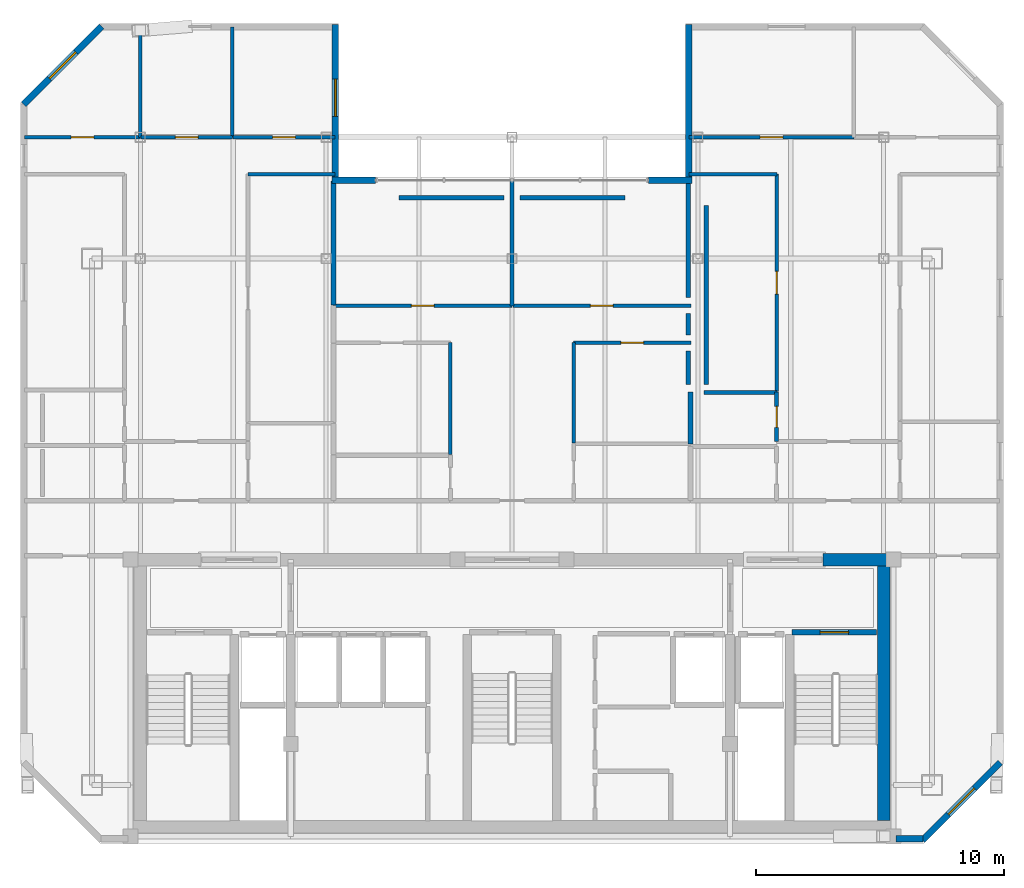
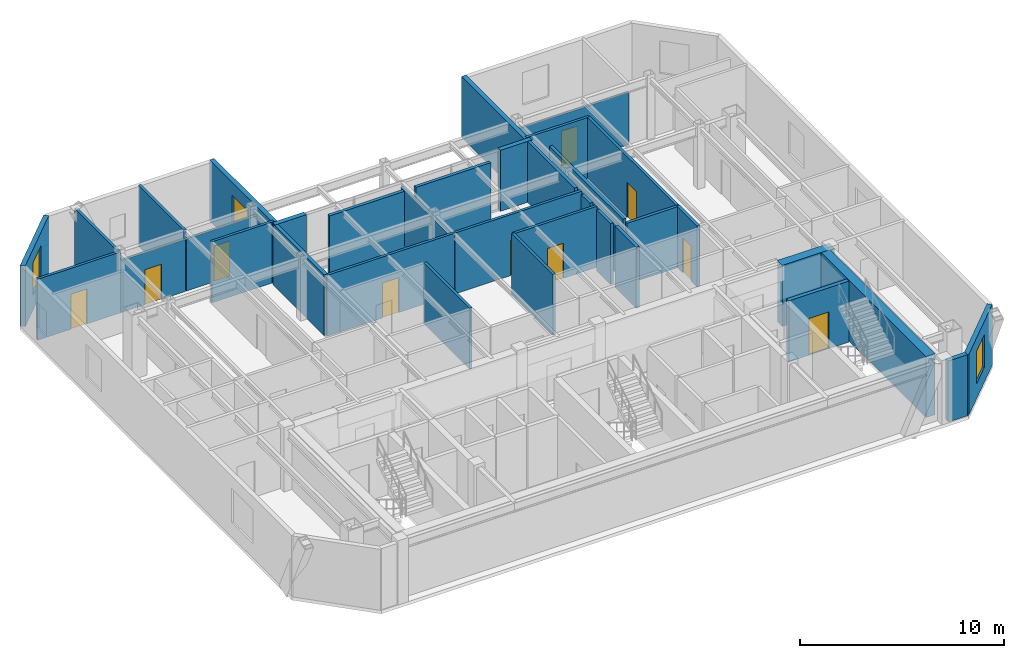
# One storey, part 8 of 10: 35 walls, 10 doors, 3 windows, 13 openings.
"""IFC4 building model written with IfcOpenShell, lengths in metres."""

from ifc_helpers import new_model, si_unit, direction, frame, frame_2d, origin, place, context, subcontext, project, spatial, rectangle, extrude, material, layer, layer_set, type_object, element, fill, save


model = new_model("IFC4")

# Units and contexts
model_context = context("Model", 3, precision=1e-05, world=origin(), true_north=direction((0.0, 1.0)))
body_context = subcontext(model_context, "Body", "Model", "MODEL_VIEW")
ifc_project = project(units=[si_unit("LENGTHUNIT", "METRE"), si_unit("AREAUNIT", "SQUARE_METRE"), si_unit("VOLUMEUNIT", "CUBIC_METRE"), si_unit("PLANEANGLEUNIT", "RADIAN"), si_unit("MASSUNIT", "GRAM", prefix="KILO")], contexts=[model_context])

# Site, building, storey
site_placement = place(None, origin())
site = spatial("IfcSite", under=ifc_project, at=site_placement, CompositionType="ELEMENT")
building_placement = place(site_placement, origin())
building = spatial("IfcBuilding", under=site, at=building_placement, Name="Ventersveld Concourse Tower", CompositionType="ELEMENT")
storey_placement = place(building_placement, frame((0.0, 0.0, 313.050048828125)))
storey = spatial("IfcBuildingStorey", under=building, at=storey_placement, Name="L77", CompositionType="ELEMENT", Elevation=313.050048828125)

# Walls
ifc_material_1 = material(Name="Concrete C50/60", Category="concrete")
ifc_layer_1 = layer(ifc_material_1, 0.5)
ifc_layer_set_1 = layer_set([ifc_layer_1], Name="Concrete C50/60")
wall_type_1 = type_object("IfcWallType", Name="WL-CORE-500", PredefinedType="SHEAR", material=ifc_layer_set_1)
wall_1_placement = place(storey_placement, frame((43.75, 0.919921875, 0.0), z_axis=(0.0, 0.0, 1.0), x_axis=(0.0, 1.0, 0.0)))
element("IfcWall", 1, at=wall_1_placement, inside=storey, type_object=wall_type_1, Name="L77 Rear Core East Shear Wall", PredefinedType="SHEAR", context=body_context, shape_type="SweptSolid", body=[
    extrude(rectangle(XDim=10.530029296875, YDim=0.5, at=frame_2d((5.26513671875, 0.0))), origin(), (0.0, 0.0, 1.0), 3.64990234375),
])
wall_2_placement = place(storey_placement, frame((41.300048828125, 11.449951171875, 0.0), z_axis=(0.0, 0.0, 1.0), x_axis=(1.0, 0.0, 0.0)))
element("IfcWall", 2, at=wall_2_placement, inside=storey, type_object=wall_type_1, Name="L77 Rear Core North Shear Wall NE", PredefinedType="SHEAR", context=body_context, shape_type="SweptSolid", body=[
    extrude(rectangle(XDim=2.949951171875, YDim=0.5, at=frame_2d((1.47509765625, 0.0))), origin(), (0.0, 0.0, 1.0), 3.64990234375),
])
ifc_material_2 = material(Name="Fire-rated autoclaved aerated masonry blockwork", Category="masonry")
ifc_layer_2 = layer(ifc_material_2, 0.179931640625)
ifc_layer_set_2 = layer_set([ifc_layer_2], Name="Fire-rated autoclaved aerated masonry blockwork")
wall_type_2 = type_object("IfcWallType", Name="WL-CORR-180", PredefinedType="PARTITIONING", material=ifc_layer_set_2)
wall_3_placement = place(storey_placement, frame((36.590087890625, 18.524169921875, 0.0), z_axis=(0.0, 0.0, 1.0), x_axis=(0.0, 1.0, 0.0)))
element("IfcWall", 3, at=wall_3_placement, inside=storey, type_object=wall_type_2, Name="L77 Room Enclosure Wall SP-L77-77CE-OFFL0", PredefinedType="PARTITIONING", context=body_context, shape_type="SweptSolid", body=[
    extrude(rectangle(XDim=7.221435546875, YDim=0.179931640625, at=frame_2d((3.61083984375, 0.0))), origin(), (0.0, 0.0, 1.0), 3.64990234375),
])
wall_4_placement = place(storey_placement, frame((35.8701171875, 21.37255859375, 0.0), z_axis=(0.0, 0.0, 1.0), x_axis=(0.0, -1.0, 0.0)))
element("IfcWall", 4, at=wall_4_placement, inside=storey, type_object=wall_type_2, Name="L77 Room Enclosure Wall SP-L77-77CM-LIV", PredefinedType="PARTITIONING", context=body_context, shape_type="SweptSolid", body=[
    extrude(rectangle(XDim=0.85009765625, YDim=0.179931640625, at=frame_2d((0.425048828125, 0.0))), origin(), (0.0, 0.0, 1.0), 3.64990234375),
])
wall_5_placement = place(storey_placement, frame((35.8701171875, 19.87255859375, 0.0), z_axis=(0.0, 0.0, 1.0), x_axis=(0.0, -1.0, 0.0)))
element("IfcWall", 5, at=wall_5_placement, inside=storey, type_object=wall_type_2, Name="L77 Room Enclosure Wall SP-L77-77CM-SEMR1", PredefinedType="PARTITIONING", context=body_context, shape_type="SweptSolid", body=[
    extrude(rectangle(XDim=1.353515625, YDim=0.179931640625, at=frame_2d((0.6767578125, 0.0))), origin(), (0.0, 0.0, 1.0), 3.64990234375),
])
for number, where, z_axis, x_axis, name in (
    (6, (24.182861328125, 26.047607421875, 0.0), (0.0, 0.0, 1.0), (1.0, 0.0, 0.0), "L77 Room Enclosure Wall SP-L77-77CM-BR1"),
    (7, (29.074951171875, 26.047607421875, 0.0), (0.0, 0.0, 1.0), (1.0, 0.0, 0.0), "L77 Room Enclosure Wall SP-L77-77CM-BR2"),
):
    element("IfcWall", number, at=place(storey_placement, frame(where, z_axis=z_axis, x_axis=x_axis)), inside=storey, type_object=wall_type_2, Name=name, PredefinedType="PARTITIONING", context=body_context, shape_type="SweptSolid", body=[
        extrude(rectangle(XDim=4.2421875, YDim=0.179931640625, at=frame_2d((2.12109375, 0.0))), origin(), (0.0, 0.0, 1.0), 3.64990234375),
    ])
wall_6_placement = place(storey_placement, frame((35.8701171875, 26.738037109375, 0.0), z_axis=(0.0, 0.0, 1.0), x_axis=(0.0, -1.0, 0.0)))
element("IfcWall", 8, at=wall_6_placement, inside=storey, type_object=wall_type_2, Name="L77 Room Enclosure Wall SP-L77-77CM-BR2", PredefinedType="PARTITIONING", context=body_context, shape_type="SweptSolid", body=[
    extrude(rectangle(XDim=4.715576171875, YDim=0.179931640625, at=frame_2d((2.35791015625, 0.0))), origin(), (0.0, 0.0, 1.0), 3.64990234375),
])
ifc_layer_3 = layer(ifc_material_2, 0.199951171875)
ifc_layer_set_3 = layer_set([ifc_layer_3], Name="Fire-rated autoclaved aerated masonry blockwork")
wall_type_3 = type_object("IfcWallType", Name="WL-DEMISE-200", PredefinedType="PARTITIONING", material=ifc_layer_set_3)
wall_7_placement = place(storey_placement, frame((21.5400390625, 21.732421875, 0.0), z_axis=(0.0, 0.0, 1.0), x_axis=(0.0, 1.0, 0.0)))
element("IfcWall", 9, at=wall_7_placement, inside=storey, type_object=wall_type_3, Name="L77 Interior Partition SP-L77-77CW-MEDR1-SP-L77-77CM-BR1", PredefinedType="PARTITIONING", context=body_context, shape_type="SweptSolid", body=[
    extrude(rectangle(XDim=5.005615234375, YDim=0.199951171875, at=frame_2d((2.5029296875, 0.0))), origin(), (0.0, 0.0, 1.0), 3.64990234375),
])
wall_8_placement = place(storey_placement, frame((35.9599609375, 16.119384765625, 0.0), z_axis=(0.0, 0.0, 1.0), x_axis=(0.0, 1.0, 0.0)))
element("IfcWall", 10, at=wall_8_placement, inside=storey, type_object=wall_type_3, Name="L77 Interior Partition SP-L77-77CE-PWDL2-SP-L77-77CM-SEMR1", PredefinedType="PARTITIONING", context=body_context, shape_type="SweptSolid", body=[
    extrude(rectangle(XDim=2.084716796875, YDim=0.199951171875, at=frame_2d((1.04248046875, 0.0))), origin(), (0.0, 0.0, 1.0), 3.64990234375),
])

# Wall, opening, door
ifc_layer_4 = layer(ifc_material_2, 0.219970703125)
ifc_layer_set_4 = layer_set([ifc_layer_4], Name="Fire-rated autoclaved aerated masonry blockwork")
wall_type_4 = type_object("IfcWallType", Name="WL-HOIST-220", PredefinedType="SOLIDWALL", material=ifc_layer_set_4)
wall_9_placement = place(storey_placement, frame((40.06005859375, 8.52001953125, 0.0), z_axis=(0.0, 0.0, 1.0), x_axis=(1.0, 0.0, 0.0)))
wall_9 = element("IfcWall", 11, at=wall_9_placement, inside=storey, type_object=wall_type_4, Name="L77 Escape Stair ST02 Fire Wall", PredefinedType="SOLIDWALL", context=body_context, shape_type="SweptSolid", body=[
    extrude(rectangle(XDim=3.39990234375, YDim=0.219970703125, at=frame_2d((1.699951171875, 0.0))), origin(), (0.0, 0.0, 1.0), 3.64990234375),
])
opening_1_placement = place(wall_9_placement, frame((1.125, 0.0, 0.0)))
opening_1 = element("IfcOpeningElement", 12, at=opening_1_placement, cuts=wall_9, Name="Opening FD1", PredefinedType="OPENING", context=body_context, shape_type="SweptSolid", body=[
    extrude(rectangle(XDim=1.14990234375, YDim=2.199951171875, at=frame_2d((0.574951171875, 1.10009765625))), frame((0.0, 0.1201171875, 0.0), z_axis=(0.0, -1.0, 0.0), x_axis=(1.0, 0.0, 0.0)), (0.0, 0.0, 1.0), 0.239990234375),
])
ifc_material_3 = material(Name="Galvanised painted steel", Category="steel")
door_type_1 = type_object("IfcDoorType", Name="DR-STAIR-115", OperationType="NOTDEFINED", PredefinedType="DOOR", material=ifc_material_3)
door_1_placement = place(opening_1_placement, origin())
door_1 = element("IfcDoor", 13, at=door_1_placement, inside=storey, type_object=door_type_1, Name="L77 Escape Stair Door ST02 (SD-L77-3514)", OperationType="SINGLE_SWING_RIGHT", OverallHeight=2.199951171875, OverallWidth=1.14990234375, PredefinedType="DOOR", context=body_context, shape_type="SweptSolid", body=[
    extrude(rectangle(XDim=1.14990234375, YDim=2.199951171875, at=frame_2d((0.574951171875, 1.10009765625))), frame((0.0, 0.02490234375, 0.0), z_axis=(0.0, -1.0, 0.0), x_axis=(1.0, 0.0, 0.0)), (0.0, 0.0, 1.0), 0.050048828125),
])
fill(opening_1, door_1)

# Wall
ifc_material_4 = material(Name="Autoclaved aerated masonry blockwork", Category="masonry")
ifc_layer_5 = layer(ifc_material_4, 0.14990234375)
ifc_layer_set_5 = layer_set([ifc_layer_5], Name="Autoclaved aerated masonry blockwork")
wall_type_5 = type_object("IfcWallType", Name="WL-INT-150", PredefinedType="PARTITIONING", material=ifc_layer_set_5)
wall_10_placement = place(storey_placement, frame((18.086669921875, 27.0, 0.0), z_axis=(0.0, 0.0, 1.0), x_axis=(1.0, 0.0, 0.0)))
element("IfcWall", 14, at=wall_10_placement, inside=storey, type_object=wall_type_5, Name="L77 Interior Partition SP-L77-77CW-LIV-SP-L77-77CW-MEDR1", PredefinedType="PARTITIONING", context=body_context, shape_type="SweptSolid", body=[
    extrude(rectangle(XDim=3.513916015625, YDim=0.14990234375, at=frame_2d((1.7568359375, 0.0))), origin(), (0.0, 0.0, 1.0), 3.64990234375),
])

# Wall, opening, door
wall_11_placement = place(storey_placement, frame((9.0712890625, 28.5, 0.0), z_axis=(0.0, 0.0, 1.0), x_axis=(1.0, 0.0, 0.0)))
wall_11 = element("IfcWall", 15, at=wall_11_placement, inside=storey, type_object=wall_type_5, Name="L77 Interior Partition SP-L77-77CW-LIV-SP-L77-77CW-BR1", PredefinedType="PARTITIONING", context=body_context, shape_type="SweptSolid", body=[
    extrude(rectangle(XDim=4.68359375, YDim=0.14990234375, at=frame_2d((2.341796875, 0.0))), origin(), (0.0, 0.0, 1.0), 3.64990234375),
])
opening_2_placement = place(wall_11_placement, frame((1.8818359375, 0.0, 0.0)))
opening_2 = element("IfcOpeningElement", 16, at=opening_2_placement, cuts=wall_11, Name="Opening ID1", PredefinedType="OPENING", context=body_context, shape_type="SweptSolid", body=[
    extrude(rectangle(XDim=0.919921875, YDim=2.10009765625, at=frame_2d((0.4599609375, 1.050048828125))), frame((0.0, 0.0849609375, 0.0), z_axis=(0.0, -1.0, 0.0), x_axis=(1.0, 0.0, 0.0)), (0.0, 0.0, 1.0), 0.169921875),
])
ifc_material_5 = material(Name="Solid-core hardwood veneer timber", Category="wood")
door_type_2 = type_object("IfcDoorType", Name="DR-ROOM-092", OperationType="NOTDEFINED", PredefinedType="DOOR", material=ifc_material_5)
door_2_placement = place(opening_2_placement, origin())
door_2 = element("IfcDoor", 17, at=door_2_placement, inside=storey, type_object=door_type_2, Name="L77 Interior Door SP-L77-77CW-LIV to SP-L77-77CW-BR1 (D-L77-3536)", OperationType="SINGLE_SWING_RIGHT", OverallHeight=2.10009765625, OverallWidth=0.919921875, PredefinedType="DOOR", context=body_context, shape_type="SweptSolid", body=[
    extrude(rectangle(XDim=0.919921875, YDim=2.10009765625, at=frame_2d((0.4599609375, 1.050048828125))), frame((0.0, 0.02490234375, 0.0), z_axis=(0.0, -1.0, 0.0), x_axis=(1.0, 0.0, 0.0)), (0.0, 0.0, 1.0), 0.050048828125),
])
fill(opening_2, door_2)

wall_12_placement = place(storey_placement, frame((13.784912109375, 28.5, 0.0), z_axis=(0.0, 0.0, 1.0), x_axis=(1.0, 0.0, 0.0)))
wall_12 = element("IfcWall", 18, at=wall_12_placement, inside=storey, type_object=wall_type_5, Name="L77 Interior Partition SP-L77-77CW-LIV-SP-L77-77CW-BR2", PredefinedType="PARTITIONING", context=body_context, shape_type="SweptSolid", body=[
    extrude(rectangle(XDim=3.677490234375, YDim=0.14990234375, at=frame_2d((1.8388671875, 0.0))), origin(), (0.0, 0.0, 1.0), 3.116943359375),
])
opening_3_placement = place(wall_12_placement, frame((1.378662109375, 0.0, 0.0)))
opening_3 = element("IfcOpeningElement", 19, at=opening_3_placement, cuts=wall_12, Name="Opening ID1", PredefinedType="OPENING", context=body_context, shape_type="SweptSolid", body=[
    extrude(rectangle(XDim=0.919921875, YDim=2.10009765625, at=frame_2d((0.4599609375, 1.050048828125))), frame((0.0, 0.0849609375, 0.0), z_axis=(0.0, -1.0, 0.0), x_axis=(1.0, 0.0, 0.0)), (0.0, 0.0, 1.0), 0.169921875),
])
door_3_placement = place(opening_3_placement, origin())
door_3 = element("IfcDoor", 20, at=door_3_placement, inside=storey, type_object=door_type_2, Name="L77 Interior Door SP-L77-77CW-LIV to SP-L77-77CW-BR2 (D-L77-3537)", OperationType="SINGLE_SWING_LEFT", OverallHeight=2.10009765625, OverallWidth=0.919921875, PredefinedType="DOOR", context=body_context, shape_type="SweptSolid", body=[
    extrude(rectangle(XDim=0.919921875, YDim=2.10009765625, at=frame_2d((0.4599609375, 1.050048828125))), frame((0.0, 0.02490234375, 0.0), z_axis=(0.0, -1.0, 0.0), x_axis=(1.0, 0.0, 0.0)), (0.0, 0.0, 1.0), 0.050048828125),
])
fill(opening_3, door_3)

wall_13_placement = place(storey_placement, frame((17.492431640625, 28.5, 0.0), z_axis=(0.0, 0.0, 1.0), x_axis=(1.0, 0.0, 0.0)))
wall_13 = element("IfcWall", 21, at=wall_13_placement, inside=storey, type_object=wall_type_5, Name="L77 Interior Partition SP-L77-77CW-LIV-SP-L77-77CW-BR3", PredefinedType="PARTITIONING", context=body_context, shape_type="SweptSolid", body=[
    extrude(rectangle(XDim=4.108154296875, YDim=0.14990234375, at=frame_2d((2.05419921875, 0.0))), origin(), (0.0, 0.0, 1.0), 3.116943359375),
])
opening_4_placement = place(wall_13_placement, frame((1.593994140625, 0.0, 0.0)))
opening_4 = element("IfcOpeningElement", 22, at=opening_4_placement, cuts=wall_13, Name="Opening ID1", PredefinedType="OPENING", context=body_context, shape_type="SweptSolid", body=[
    extrude(rectangle(XDim=0.919921875, YDim=2.10009765625, at=frame_2d((0.4599609375, 1.050048828125))), frame((0.0, 0.0849609375, 0.0), z_axis=(0.0, -1.0, 0.0), x_axis=(1.0, 0.0, 0.0)), (0.0, 0.0, 1.0), 0.169921875),
])
door_4_placement = place(opening_4_placement, origin())
door_4 = element("IfcDoor", 23, at=door_4_placement, inside=storey, type_object=door_type_2, Name="L77 Interior Door SP-L77-77CW-LIV to SP-L77-77CW-BR3 (D-L77-3538)", OperationType="SINGLE_SWING_RIGHT", OverallHeight=2.10009765625, OverallWidth=0.919921875, PredefinedType="DOOR", context=body_context, shape_type="SweptSolid", body=[
    extrude(rectangle(XDim=0.919921875, YDim=2.10009765625, at=frame_2d((0.4599609375, 1.050048828125))), frame((0.0, 0.02490234375, 0.0), z_axis=(0.0, -1.0, 0.0), x_axis=(1.0, 0.0, 0.0)), (0.0, 0.0, 1.0), 0.050048828125),
])
fill(opening_4, door_4)

# Walls
wall_14_placement = place(storey_placement, frame((13.75, 28.4951171875, 0.0), z_axis=(0.0, 0.0, 1.0), x_axis=(0.0, 1.0, 0.0)))
element("IfcWall", 24, at=wall_14_placement, inside=storey, type_object=wall_type_5, Name="L77 Interior Partition SP-L77-77CW-BR1-SP-L77-77CW-BR2", PredefinedType="PARTITIONING", context=body_context, shape_type="SweptSolid", body=[
    extrude(rectangle(XDim=4.29443359375, YDim=0.14990234375, at=frame_2d((2.147216796875, 0.0))), origin(), (0.0, 0.0, 1.0), 3.64990234375),
])
wall_15_placement = place(storey_placement, frame((17.45751953125, 28.4951171875, 0.0), z_axis=(0.0, 0.0, 1.0), x_axis=(0.0, 1.0, 0.0)))
element("IfcWall", 25, at=wall_15_placement, inside=storey, type_object=wall_type_5, Name="L77 Interior Partition SP-L77-77CW-BR2-SP-L77-77CW-BR3", PredefinedType="PARTITIONING", context=body_context, shape_type="SweptSolid", body=[
    extrude(rectangle(XDim=4.44287109375, YDim=0.14990234375, at=frame_2d((2.221435546875, 0.0))), origin(), (0.0, 0.0, 1.0), 3.64990234375),
])

# Wall, opening, door
wall_16_placement = place(storey_placement, frame((39.4326171875, 18.234130859375, 0.0), z_axis=(0.0, 0.0, 1.0), x_axis=(0.0, 1.0, 0.0)))
wall_16 = element("IfcWall", 26, at=wall_16_placement, inside=storey, type_object=wall_type_5, Name="L77 Interior Partition SP-L77-77CE-LIV-SP-L77-77CE-OFFL0", PredefinedType="PARTITIONING", context=body_context, shape_type="SweptSolid", body=[
    extrude(rectangle(XDim=8.770751953125, YDim=0.14990234375, at=frame_2d((4.38525390625, 0.0))), origin(), (0.0, 0.0, 1.0), 3.64990234375),
])
opening_5_placement = place(wall_16_placement, frame((3.92529296875, 0.0, 0.0)))
opening_5 = element("IfcOpeningElement", 27, at=opening_5_placement, cuts=wall_16, Name="Opening ID1", PredefinedType="OPENING", context=body_context, shape_type="SweptSolid", body=[
    extrude(rectangle(XDim=0.919921875, YDim=2.10009765625, at=frame_2d((0.4599609375, 1.050048828125))), frame((0.0, 0.0849609375, 0.0), z_axis=(0.0, -1.0, 0.0), x_axis=(1.0, 0.0, 0.0)), (0.0, 0.0, 1.0), 0.169921875),
])
door_5_placement = place(opening_5_placement, origin())
door_5 = element("IfcDoor", 28, at=door_5_placement, inside=storey, type_object=door_type_2, Name="L77 Interior Door SP-L77-77CE-LIV to SP-L77-77CE-OFFL0 (D-L77-3543)", OperationType="SINGLE_SWING_LEFT", OverallHeight=2.10009765625, OverallWidth=0.919921875, PredefinedType="DOOR", context=body_context, shape_type="SweptSolid", body=[
    extrude(rectangle(XDim=0.919921875, YDim=2.10009765625, at=frame_2d((0.4599609375, 1.050048828125))), frame((0.0, 0.02490234375, 0.0), z_axis=(0.0, -1.0, 0.0), x_axis=(1.0, 0.0, 0.0)), (0.0, 0.0, 1.0), 0.050048828125),
])
fill(opening_5, door_5)

# Wall
wall_17_placement = place(storey_placement, frame((35.8994140625, 27.0, 0.0), z_axis=(0.0, 0.0, 1.0), x_axis=(1.0, 0.0, 0.0)))
element("IfcWall", 29, at=wall_17_placement, inside=storey, type_object=wall_type_5, Name="L77 Interior Partition SP-L77-77CE-LIV-SP-L77-77CE-OFFL0", PredefinedType="PARTITIONING", context=body_context, shape_type="SweptSolid", body=[
    extrude(rectangle(XDim=3.5380859375, YDim=0.14990234375, at=frame_2d((1.76904296875, 0.0))), origin(), (0.0, 0.0, 1.0), 3.64990234375),
])

# Wall, opening, door
wall_18_placement = place(storey_placement, frame((35.8994140625, 28.5, 0.0), z_axis=(0.0, 0.0, 1.0), x_axis=(1.0, 0.0, 0.0)))
wall_18 = element("IfcWall", 30, at=wall_18_placement, inside=storey, type_object=wall_type_5, Name="L77 Interior Partition SP-L77-77CE-LIV-SP-L77-77CE-BR1", PredefinedType="PARTITIONING", context=body_context, shape_type="SweptSolid", body=[
    extrude(rectangle(XDim=6.654296875, YDim=0.14990234375, at=frame_2d((3.3271484375, 0.0))), origin(), (0.0, 0.0, 1.0), 3.116943359375),
])
opening_6_placement = place(wall_18_placement, frame((2.866943359375, 0.0, 0.0)))
opening_6 = element("IfcOpeningElement", 31, at=opening_6_placement, cuts=wall_18, Name="Opening ID1", PredefinedType="OPENING", context=body_context, shape_type="SweptSolid", body=[
    extrude(rectangle(XDim=0.919921875, YDim=2.10009765625, at=frame_2d((0.4599609375, 1.050048828125))), frame((0.0, 0.0849609375, 0.0), z_axis=(0.0, -1.0, 0.0), x_axis=(1.0, 0.0, 0.0)), (0.0, 0.0, 1.0), 0.169921875),
])
door_6_placement = place(opening_6_placement, origin())
door_6 = element("IfcDoor", 32, at=door_6_placement, inside=storey, type_object=door_type_2, Name="L77 Interior Door SP-L77-77CE-LIV to SP-L77-77CE-BR1 (D-L77-3545)", OperationType="SINGLE_SWING_LEFT", OverallHeight=2.10009765625, OverallWidth=0.919921875, PredefinedType="DOOR", context=body_context, shape_type="SweptSolid", body=[
    extrude(rectangle(XDim=0.919921875, YDim=2.10009765625, at=frame_2d((0.4599609375, 1.050048828125))), frame((0.0, 0.02490234375, 0.0), z_axis=(0.0, -1.0, 0.0), x_axis=(1.0, 0.0, 0.0)), (0.0, 0.0, 1.0), 0.050048828125),
])
fill(opening_6, door_6)

# Wall
wall_19_placement = place(storey_placement, frame((26.260009765625, 15.695068359375, 0.0), z_axis=(0.0, 0.0, 1.0), x_axis=(0.0, 1.0, 0.0)))
element("IfcWall", 33, at=wall_19_placement, inside=storey, type_object=wall_type_5, Name="L77 Interior Partition SP-L77-77CM-LIV-SP-L77-77CM-MEDL0", PredefinedType="PARTITIONING", context=body_context, shape_type="SweptSolid", body=[
    extrude(rectangle(XDim=4.50732421875, YDim=0.14990234375, at=frame_2d((2.253662109375, 0.0))), origin(), (0.0, 0.0, 1.0), 3.64990234375),
])

# Wall, opening, door
wall_20_placement = place(storey_placement, frame((31.235107421875, 20.197509765625, 0.0), z_axis=(0.0, 0.0, 1.0), x_axis=(1.0, 0.0, 0.0)))
wall_20 = element("IfcWall", 34, at=wall_20_placement, inside=storey, type_object=wall_type_5, Name="L77 Interior Partition SP-L77-77CM-LIV-SP-L77-77CM-SEMR1", PredefinedType="PARTITIONING", context=body_context, shape_type="SweptSolid", body=[
    extrude(rectangle(XDim=4.72998046875, YDim=0.14990234375, at=frame_2d((2.364990234375, 0.0))), origin(), (0.0, 0.0, 1.0), 3.64990234375),
])
opening_7_placement = place(wall_20_placement, frame((1.905029296875, 0.0, 0.0)))
opening_7 = element("IfcOpeningElement", 35, at=opening_7_placement, cuts=wall_20, Name="Opening ID1", PredefinedType="OPENING", context=body_context, shape_type="SweptSolid", body=[
    extrude(rectangle(XDim=0.919921875, YDim=2.10009765625, at=frame_2d((0.4599609375, 1.050048828125))), frame((0.0, 0.0849609375, 0.0), z_axis=(0.0, -1.0, 0.0), x_axis=(1.0, 0.0, 0.0)), (0.0, 0.0, 1.0), 0.169921875),
])
door_7_placement = place(opening_7_placement, origin())
door_7 = element("IfcDoor", 36, at=door_7_placement, inside=storey, type_object=door_type_2, Name="L77 Interior Door SP-L77-77CM-LIV to SP-L77-77CM-SEMR1 (D-L77-3550)", OperationType="SINGLE_SWING_RIGHT", OverallHeight=2.10009765625, OverallWidth=0.919921875, PredefinedType="DOOR", context=body_context, shape_type="SweptSolid", body=[
    extrude(rectangle(XDim=0.919921875, YDim=2.10009765625, at=frame_2d((0.4599609375, 1.050048828125))), frame((0.0, 0.02490234375, 0.0), z_axis=(0.0, -1.0, 0.0), x_axis=(1.0, 0.0, 0.0)), (0.0, 0.0, 1.0), 0.050048828125),
])
fill(opening_7, door_7)

# Wall
wall_21_placement = place(storey_placement, frame((31.239990234375, 16.159423828125, 0.0), z_axis=(0.0, 0.0, 1.0), x_axis=(0.0, 1.0, 0.0)))
element("IfcWall", 37, at=wall_21_placement, inside=storey, type_object=wall_type_5, Name="L77 Interior Partition SP-L77-77CM-LIV-SP-L77-77CM-SEMR1", PredefinedType="PARTITIONING", context=body_context, shape_type="SweptSolid", body=[
    extrude(rectangle(XDim=4.04296875, YDim=0.14990234375, at=frame_2d((2.021484375, 0.0))), origin(), (0.0, 0.0, 1.0), 3.64990234375),
])

# Wall, opening, door
wall_22_placement = place(storey_placement, frame((21.534912109375, 21.697509765625, 0.0), z_axis=(0.0, 0.0, 1.0), x_axis=(1.0, 0.0, 0.0)))
wall_22 = element("IfcWall", 38, at=wall_22_placement, inside=storey, type_object=wall_type_5, Name="L77 Interior Partition SP-L77-77CM-LIV-SP-L77-77CM-BR1", PredefinedType="PARTITIONING", context=body_context, shape_type="SweptSolid", body=[
    extrude(rectangle(XDim=7.219970703125, YDim=0.14990234375, at=frame_2d((3.60986328125, 0.0))), origin(), (0.0, 0.0, 1.0), 3.64990234375),
])
opening_8_placement = place(wall_22_placement, frame((3.14990234375, 0.0, 0.0)))
opening_8 = element("IfcOpeningElement", 39, at=opening_8_placement, cuts=wall_22, Name="Opening ID1", PredefinedType="OPENING", context=body_context, shape_type="SweptSolid", body=[
    extrude(rectangle(XDim=0.919921875, YDim=2.10009765625, at=frame_2d((0.4599609375, 1.050048828125))), frame((0.0, 0.0849609375, 0.0), z_axis=(0.0, -1.0, 0.0), x_axis=(1.0, 0.0, 0.0)), (0.0, 0.0, 1.0), 0.169921875),
])
door_8_placement = place(opening_8_placement, origin())
door_8 = element("IfcDoor", 40, at=door_8_placement, inside=storey, type_object=door_type_2, Name="L77 Interior Door SP-L77-77CM-LIV to SP-L77-77CM-BR1 (D-L77-3551)", OperationType="SINGLE_SWING_LEFT", OverallHeight=2.10009765625, OverallWidth=0.919921875, PredefinedType="DOOR", context=body_context, shape_type="SweptSolid", body=[
    extrude(rectangle(XDim=0.919921875, YDim=2.10009765625, at=frame_2d((0.4599609375, 1.050048828125))), frame((0.0, 0.02490234375, 0.0), z_axis=(0.0, -1.0, 0.0), x_axis=(1.0, 0.0, 0.0)), (0.0, 0.0, 1.0), 0.050048828125),
])
fill(opening_8, door_8)

wall_23_placement = place(storey_placement, frame((28.784912109375, 21.697509765625, 0.0), z_axis=(0.0, 0.0, 1.0), x_axis=(1.0, 0.0, 0.0)))
wall_23 = element("IfcWall", 41, at=wall_23_placement, inside=storey, type_object=wall_type_5, Name="L77 Interior Partition SP-L77-77CM-LIV-SP-L77-77CM-BR2", PredefinedType="PARTITIONING", context=body_context, shape_type="SweptSolid", body=[
    extrude(rectangle(XDim=7.18017578125, YDim=0.14990234375, at=frame_2d((3.590087890625, 0.0))), origin(), (0.0, 0.0, 1.0), 3.64990234375),
])
opening_9_placement = place(wall_23_placement, frame((3.1298828125, 0.0, 0.0)))
opening_9 = element("IfcOpeningElement", 42, at=opening_9_placement, cuts=wall_23, Name="Opening ID1", PredefinedType="OPENING", context=body_context, shape_type="SweptSolid", body=[
    extrude(rectangle(XDim=0.919921875, YDim=2.10009765625, at=frame_2d((0.4599609375, 1.050048828125))), frame((0.0, 0.0849609375, 0.0), z_axis=(0.0, -1.0, 0.0), x_axis=(1.0, 0.0, 0.0)), (0.0, 0.0, 1.0), 0.169921875),
])
door_9_placement = place(opening_9_placement, origin())
door_9 = element("IfcDoor", 43, at=door_9_placement, inside=storey, type_object=door_type_2, Name="L77 Interior Door SP-L77-77CM-LIV to SP-L77-77CM-BR2 (D-L77-3552)", OperationType="SINGLE_SWING_RIGHT", OverallHeight=2.10009765625, OverallWidth=0.919921875, PredefinedType="DOOR", context=body_context, shape_type="SweptSolid", body=[
    extrude(rectangle(XDim=0.919921875, YDim=2.10009765625, at=frame_2d((0.4599609375, 1.050048828125))), frame((0.0, 0.02490234375, 0.0), z_axis=(0.0, -1.0, 0.0), x_axis=(1.0, 0.0, 0.0)), (0.0, 0.0, 1.0), 0.050048828125),
])
fill(opening_9, door_9)

# Walls
wall_24_placement = place(storey_placement, frame((28.75, 21.6923828125, 0.0), z_axis=(0.0, 0.0, 1.0), x_axis=(0.0, 1.0, 0.0)))
element("IfcWall", 44, at=wall_24_placement, inside=storey, type_object=wall_type_5, Name="L77 Interior Partition SP-L77-77CM-BR1-SP-L77-77CM-BR2", PredefinedType="PARTITIONING", context=body_context, shape_type="SweptSolid", body=[
    extrude(rectangle(XDim=5.041015625, YDim=0.14990234375, at=frame_2d((2.5205078125, 0.0))), origin(), (0.0, 0.0, 1.0), 3.346435546875),
])
ifc_material_6 = material(Name="Precast concrete C45/55", Category="concrete")
ifc_layer_6 = layer(ifc_material_6, 0.260009765625)
ifc_layer_set_6 = layer_set([ifc_layer_6], Name="Precast concrete C45/55")
wall_type_6 = type_object("IfcWallType", Name="WL-PREC-260", PredefinedType="SOLIDWALL", material=ifc_layer_set_6)
wall_25_placement = place(storey_placement, frame((44.25, 0.179931640625, 0.0), z_axis=(0.0, 0.0, 1.0), x_axis=(1.0, 0.0, 0.0)))
element("IfcWall", 45, at=wall_25_placement, inside=storey, type_object=wall_type_6, Name="L77 South-East Flank Precast Wall", PredefinedType="SOLIDWALL", context=body_context, shape_type="SweptSolid", body=[
    extrude(rectangle(XDim=1.088134765625, YDim=0.260009765625, at=frame_2d((0.5439453125, 0.0))), origin(), (0.0, 0.0, 1.0), 3.64990234375),
])

# Wall, opening, window
wall_26_placement = place(storey_placement, frame((45.314453125, 0.1201171875, 0.0), z_axis=(0.0, 0.0, 1.0), x_axis=(0.707106781187, 0.707106781187, 0.0)))
wall_26 = element("IfcWall", 46, at=wall_26_placement, inside=storey, type_object=wall_type_6, Name="L77 Highveld Precast Facade Wall E02", PredefinedType="SOLIDWALL", context=body_context, shape_type="SweptSolid", body=[
    extrude(rectangle(XDim=4.445556640625, YDim=0.260009765625, at=frame_2d((2.22265625, 0.0))), origin(), (0.0, 0.0, 1.0), 3.64990234375),
])
opening_10_placement = place(wall_26_placement, frame((1.47265625, 0.0, 0.89990234375)))
opening_10 = element("IfcOpeningElement", 47, at=opening_10_placement, cuts=wall_26, Name="Opening W1", PredefinedType="OPENING", context=body_context, shape_type="SweptSolid", body=[
    extrude(rectangle(XDim=1.5, YDim=1.949951171875, at=frame_2d((0.75, 0.97509765625))), frame((0.0, 0.14013671875, 0.0), z_axis=(0.0, -1.0, 0.0), x_axis=(1.0, 0.0, 0.0)), (0.0, 0.0, 1.0), 0.280029296875),
])
ifc_material_7 = material(Name="Tempered acoustic Low-E IGU", Category="glass")
window_type = type_object("IfcWindowType", Name="WIN-150x210", PartitioningType="SINGLE_PANEL", PredefinedType="WINDOW", material=ifc_material_7)
window_1_placement = place(opening_10_placement, origin())
window_1 = element("IfcWindow", 48, at=window_1_placement, inside=storey, type_object=window_type, Name="L77 Punched Low-E Window W-1091", OverallHeight=1.949951171875, OverallWidth=1.5, PartitioningType="SINGLE_PANEL", PredefinedType="WINDOW", context=body_context, shape_type="SweptSolid", body=[
    extrude(rectangle(XDim=1.5, YDim=1.949951171875, at=frame_2d((0.75, 0.97509765625))), frame((0.0, 0.030029296875, 0.0), z_axis=(0.0, -1.0, 0.0), x_axis=(1.0, 0.0, 0.0)), (0.0, 0.0, 1.0), 0.06005859375),
])
fill(opening_10, window_1)

# Walls
wall_27_placement = place(storey_placement, frame((35.8798828125, 33.047607421875, 0.0), z_axis=(0.0, 0.0, 1.0), x_axis=(0.0, -1.0, 0.0)))
element("IfcWall", 49, at=wall_27_placement, inside=storey, type_object=wall_type_6, Name="L77 Highveld Precast Facade Wall E06", PredefinedType="SOLIDWALL", context=body_context, shape_type="SweptSolid", body=[
    extrude(rectangle(XDim=6.16015625, YDim=0.260009765625, at=frame_2d((3.080078125, 0.0))), origin(), (0.0, 0.0, 1.0), 3.64990234375),
])
for number, where, z_axis, x_axis, name in (
    (50, (21.489990234375, 26.757568359375, 0.0), (0.0, 0.0, 1.0), (1.0, 0.0, 0.0), "L77 Sky Garden West Pier"),
    (51, (34.25, 26.757568359375, 0.0), (0.0, 0.0, 1.0), (1.0, 0.0, 0.0), "L77 Sky Garden East Pier"),
):
    element("IfcWall", number, at=place(storey_placement, frame(where, z_axis=z_axis, x_axis=x_axis)), inside=storey, type_object=wall_type_6, Name=name, PredefinedType="SOLIDWALL", context=body_context, shape_type="SweptSolid", body=[
        extrude(rectangle(XDim=1.760009765625, YDim=0.260009765625, at=frame_2d((0.8798828125, 0.0))), origin(), (0.0, 0.0, 1.0), 3.64990234375),
    ])

# Wall, opening, window
wall_28_placement = place(storey_placement, frame((21.6201171875, 26.887451171875, 0.0), z_axis=(0.0, 0.0, 1.0), x_axis=(0.0, 1.0, 0.0)))
wall_28 = element("IfcWall", 52, at=wall_28_placement, inside=storey, type_object=wall_type_6, Name="L77 Highveld Precast Facade Wall E08", PredefinedType="SOLIDWALL", context=body_context, shape_type="SweptSolid", body=[
    extrude(rectangle(XDim=6.16015625, YDim=0.260009765625, at=frame_2d((3.080078125, 0.0))), origin(), (0.0, 0.0, 1.0), 3.64990234375),
])
opening_11_placement = place(wall_28_placement, frame((2.45458984375, 0.0, 0.89990234375)))
opening_11 = element("IfcOpeningElement", 53, at=opening_11_placement, cuts=wall_28, Name="Opening W1", PredefinedType="OPENING", context=body_context, shape_type="SweptSolid", body=[
    extrude(rectangle(XDim=1.5, YDim=1.949951171875, at=frame_2d((0.75, 0.97509765625))), frame((0.0, 0.14013671875, 0.0), z_axis=(0.0, -1.0, 0.0), x_axis=(1.0, 0.0, 0.0)), (0.0, 0.0, 1.0), 0.280029296875),
])
window_2_placement = place(opening_11_placement, origin())
window_2 = element("IfcWindow", 54, at=window_2_placement, inside=storey, type_object=window_type, Name="L77 Punched Low-E Window W-1096", OverallHeight=1.949951171875, OverallWidth=1.5, PartitioningType="SINGLE_PANEL", PredefinedType="WINDOW", context=body_context, shape_type="SweptSolid", body=[
    extrude(rectangle(XDim=1.5, YDim=1.949951171875, at=frame_2d((0.75, 0.97509765625))), frame((0.0, 0.030029296875, 0.0), z_axis=(0.0, -1.0, 0.0), x_axis=(1.0, 0.0, 0.0)), (0.0, 0.0, 1.0), 0.06005859375),
])
fill(opening_11, window_2)

wall_29_placement = place(storey_placement, frame((12.185546875, 32.96728515625, 0.0), z_axis=(0.0, 0.0, 1.0), x_axis=(-0.707134240044, -0.707079321262, 0.0)))
wall_29 = element("IfcWall", 55, at=wall_29_placement, inside=storey, type_object=wall_type_6, Name="L77 Highveld Precast Facade Wall E10", PredefinedType="SOLIDWALL", context=body_context, shape_type="SweptSolid", body=[
    extrude(rectangle(XDim=4.445556640625, YDim=0.260009765625, at=frame_2d((2.22265625, 0.0))), origin(), (0.0, 0.0, 1.0), 3.64990234375),
])
opening_12_placement = place(wall_29_placement, frame((1.47265625, 0.0, 0.89990234375)))
opening_12 = element("IfcOpeningElement", 56, at=opening_12_placement, cuts=wall_29, Name="Opening W1", PredefinedType="OPENING", context=body_context, shape_type="SweptSolid", body=[
    extrude(rectangle(XDim=1.5, YDim=1.949951171875, at=frame_2d((0.75, 0.97509765625))), frame((0.0, 0.14013671875, 0.0), z_axis=(0.0, -1.0, 0.0), x_axis=(1.0, 0.0, 0.0)), (0.0, 0.0, 1.0), 0.280029296875),
])
window_3_placement = place(opening_12_placement, origin())
window_3 = element("IfcWindow", 57, at=window_3_placement, inside=storey, type_object=window_type, Name="L77 Punched Low-E Window W-1094", OverallHeight=1.949951171875, OverallWidth=1.5, PartitioningType="SINGLE_PANEL", PredefinedType="WINDOW", context=body_context, shape_type="SweptSolid", body=[
    extrude(rectangle(XDim=1.5, YDim=1.949951171875, at=frame_2d((0.75, 0.97509765625))), frame((0.0, 0.030029296875, 0.0), z_axis=(0.0, -1.0, 0.0), x_axis=(1.0, 0.0, 0.0)), (0.0, 0.0, 1.0), 0.06005859375),
])
fill(opening_12, window_3)

# Wall, opening, door
ifc_layer_7 = layer(ifc_material_4, 0.1650390625)
ifc_layer_set_7 = layer_set([ifc_layer_7], Name="Autoclaved aerated masonry blockwork")
wall_type_7 = type_object("IfcWallType", Name="WL-WET-165", PredefinedType="PLUMBINGWALL", material=ifc_layer_set_7)
wall_30_placement = place(storey_placement, frame((39.4326171875, 16.211669921875, 0.0), z_axis=(0.0, 0.0, 1.0), x_axis=(0.0, 1.0, 0.0)))
wall_30 = element("IfcWall", 58, at=wall_30_placement, inside=storey, type_object=wall_type_7, Name="L77 Interior Partition SP-L77-77CE-LIV-SP-L77-77CE-PWDL2", PredefinedType="PLUMBINGWALL", context=body_context, shape_type="SweptSolid", body=[
    extrude(rectangle(XDim=1.992431640625, YDim=0.1650390625, at=frame_2d((0.99609375, 0.0))), origin(), (0.0, 0.0, 1.0), 3.64990234375),
])
opening_13_placement = place(wall_30_placement, frame((0.5712890625, 0.0, 0.0)))
opening_13 = element("IfcOpeningElement", 59, at=opening_13_placement, cuts=wall_30, Name="Opening ID2", PredefinedType="OPENING", context=body_context, shape_type="SweptSolid", body=[
    extrude(rectangle(XDim=0.85009765625, YDim=2.10009765625, at=frame_2d((0.425048828125, 1.050048828125))), frame((0.0, 0.092529296875, 0.0), z_axis=(0.0, -1.0, 0.0), x_axis=(1.0, 0.0, 0.0)), (0.0, 0.0, 1.0), 0.18505859375),
])
door_type_3 = type_object("IfcDoorType", Name="DR-BATH-085", OperationType="NOTDEFINED", PredefinedType="DOOR", material=ifc_material_5)
door_10_placement = place(opening_13_placement, origin())
door_10 = element("IfcDoor", 60, at=door_10_placement, inside=storey, type_object=door_type_3, Name="L77 Interior Door SP-L77-77CE-LIV to SP-L77-77CE-PWDL2 (D-L77-3542)", OperationType="SINGLE_SWING_RIGHT", OverallHeight=2.10009765625, OverallWidth=0.85009765625, PredefinedType="DOOR", context=body_context, shape_type="SweptSolid", body=[
    extrude(rectangle(XDim=0.85009765625, YDim=2.10009765625, at=frame_2d((0.425048828125, 1.050048828125))), frame((0.0, 0.02490234375, 0.0), z_axis=(0.0, -1.0, 0.0), x_axis=(1.0, 0.0, 0.0)), (0.0, 0.0, 1.0), 0.050048828125),
])
fill(opening_13, door_10)

# Wall
wall_31_placement = place(storey_placement, frame((36.4951171875, 18.19921875, 0.0), z_axis=(0.0, 0.0, 1.0), x_axis=(1.0, 0.0, 0.0)))
element("IfcWall", 61, at=wall_31_placement, inside=storey, type_object=wall_type_7, Name="L77 Interior Partition SP-L77-77CE-PWDL2-SP-L77-77CE-OFFL0", PredefinedType="PLUMBINGWALL", context=body_context, shape_type="SweptSolid", body=[
    extrude(rectangle(XDim=2.9423828125, YDim=0.1650390625, at=frame_2d((1.47119140625, 0.0))), origin(), (0.0, 0.0, 1.0), 3.64990234375),
])

save(model, "model.ifc")
